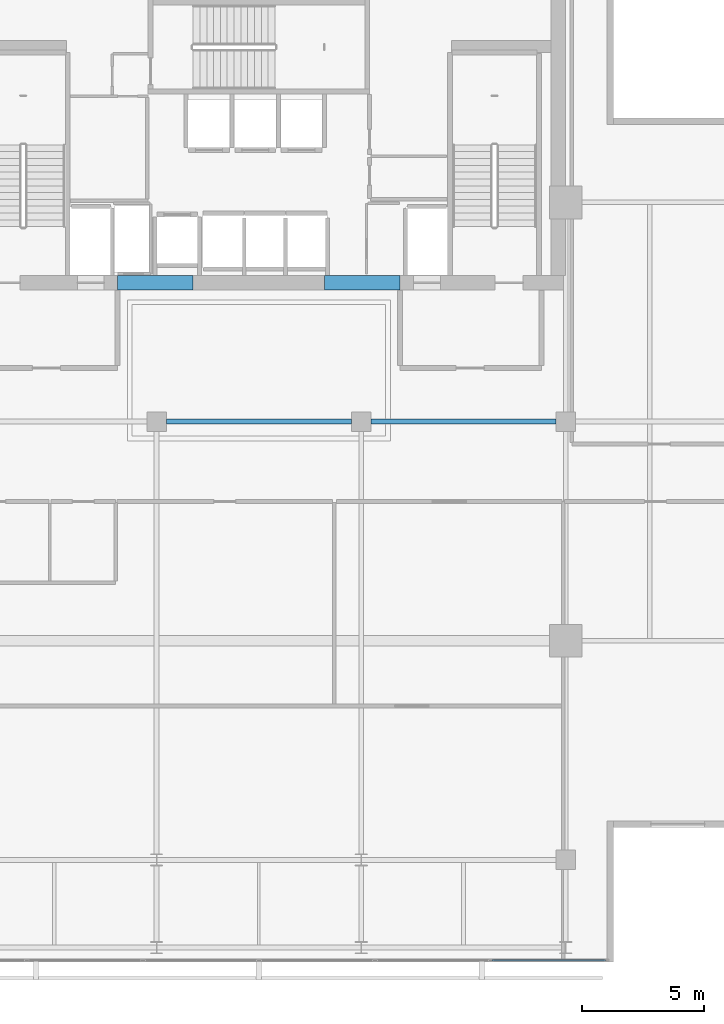
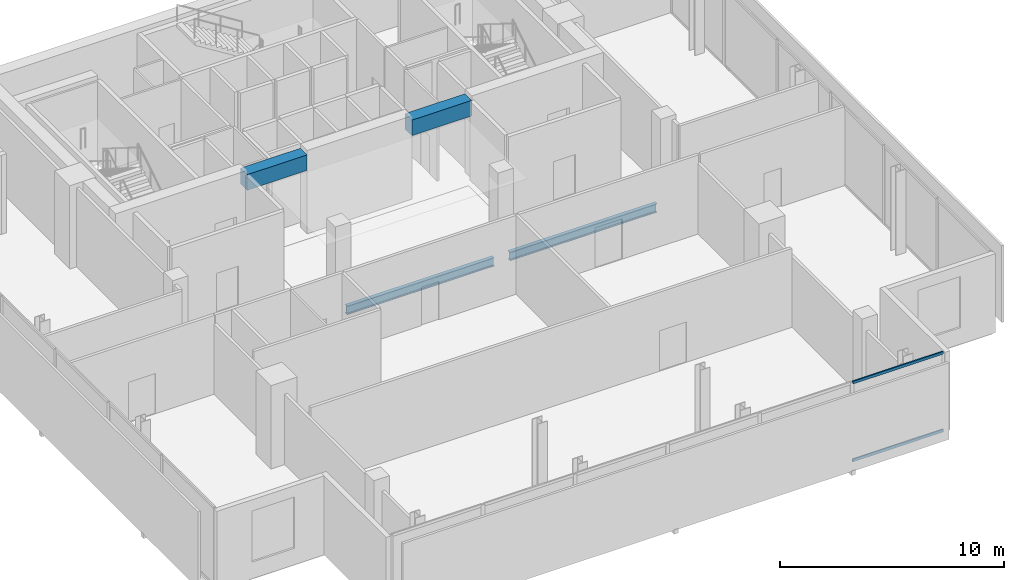
# One storey, part 10 of 23: 4 beams, 2 members, 1 element without a shape of its own.
"""IFC4 building model written with IfcOpenShell, lengths in metres."""

from ifc_helpers import new_model, si_unit, direction, frame, origin, origin_2d, place, context, subcontext, project, spatial, rectangle, hollow_rectangle, i_section, extrude, material, layer, layer_set, material_profile, profile_set, type_object, element, aggregate, save


model = new_model("IFC4")

# Units and contexts
model_context = context("Model", 3, precision=1e-05, world=origin(), true_north=direction((0.0, 1.0)))
body_context = subcontext(model_context, "Body", "Model", "MODEL_VIEW")
ifc_project = project(units=[si_unit("LENGTHUNIT", "METRE"), si_unit("AREAUNIT", "SQUARE_METRE"), si_unit("VOLUMEUNIT", "CUBIC_METRE"), si_unit("PLANEANGLEUNIT", "RADIAN"), si_unit("MASSUNIT", "GRAM", prefix="KILO")], contexts=[model_context])

# Site, building, storey
site_placement = place(None, origin())
site = spatial("IfcSite", under=ifc_project, at=site_placement, CompositionType="ELEMENT")
building_placement = place(site_placement, origin())
building = spatial("IfcBuilding", under=site, at=building_placement, Name="Maruvema Waterfront Hotel and Observation Tower", CompositionType="ELEMENT")
storey_placement = place(building_placement, frame((0.0, 0.0, 345.10009765625)))
storey = spatial("IfcBuildingStorey", under=building, at=storey_placement, Name="L85", CompositionType="ELEMENT", Elevation=345.10009765625)

# Beams
ifc_material_1 = material(Name="Concrete C60/75", Category="concrete")
ifc_material_profile_1 = material_profile(ifc_material_1, rectangle(XDim=0.60009765625, YDim=0.85009765625, at=origin_2d()), Name="CB600x850")
ifc_profile_set_1 = profile_set([ifc_material_profile_1], Name="Concrete C60/75")
beam_type_1 = type_object("IfcBeamType", Name="Core Coupling Lintel Beam CB600x850", PredefinedType="LINTEL", material=ifc_profile_set_1)
for number, where, z_axis, x_axis, name in (
    (1, (32.0, 41.699951171875, 3.885009765625), (1.0, 0.0, 0.0), (0.0, 1.0, 0.0), "L85 Core Coupling Lintel Beam West"),
    (2, (40.5, 41.699951171875, 3.885009765625), (1.0, 0.0, 0.0), (0.0, 1.0, 0.0), "L85 Core Coupling Lintel Beam East"),
):
    element("IfcBeam", number, at=place(storey_placement, frame(where, z_axis=z_axis, x_axis=x_axis)), inside=storey, type_object=beam_type_1, Name=name, PredefinedType="LINTEL", context=body_context, shape_type="SweptSolid", body=[
        extrude(rectangle(XDim=0.60009765625, YDim=0.85009765625, at=origin_2d()), origin(), (0.0, 0.0, 1.0), 3.10009765625),
    ])

# Curtain wall, members
ifc_material_2 = material(Name="Anodised bronze aluminium and solar-control low-E IGU", Category="aluminium")
ifc_layer = layer(ifc_material_2, 0.159912109375, Name="Observation Crown Structural Glazed Curtain Wall System CW-06")
ifc_layer_set = layer_set([ifc_layer], Name="Anodised bronze aluminium and solar-control low-E IGU")
curtain_wall_type = type_object("IfcCurtainWallType", Name="Observation Crown Structural Glazed Curtain Wall System CW-06", PredefinedType="USERDEFINED", material=ifc_layer_set)
curtain_wall_placement = place(storey_placement, origin())
curtain_wall = element("IfcCurtainWall", 3, at=curtain_wall_placement, inside=storey, type_object=curtain_wall_type, Name="L85 Curtain Wall CW-L85-S", ObjectType="UNITISED CURTAIN WALL", PredefinedType="USERDEFINED")
ifc_material_3 = material(Name="Anodised architectural bronze aluminium", Category="aluminium")
ifc_material_profile_2 = material_profile(ifc_material_3, hollow_rectangle(XDim=0.070068359375, YDim=0.14990234375, WallThickness=0.00390625, at=origin_2d()), Name="ALU-T70x150")
ifc_profile_set_2 = profile_set([ifc_material_profile_2], Name="Anodised architectural bronze aluminium")
member_type = type_object("IfcMemberType", Name="Curtain Wall Horizontal Transom ALU-T70x150", PredefinedType="USERDEFINED", material=ifc_profile_set_2)
member_1_placement = place(storey_placement, frame((47.36328125, 13.8798828125, 0.02978515625), z_axis=(1.0, 0.0, 0.0), x_axis=(0.0, 1.0, 0.0)))
member_1 = element("IfcMember", 4, at=member_1_placement, type_object=member_type, Name="CW-06 transom 6.1", ObjectType="TRANSOM", PredefinedType="USERDEFINED", context=body_context, shape_type="SweptSolid", body=[
    extrude(hollow_rectangle(XDim=0.070068359375, YDim=0.14990234375, WallThickness=0.00390625, at=origin_2d()), origin(), (0.0, 0.0, 1.0), 4.6767578125),
])
member_2_placement = place(storey_placement, frame((47.36328125, 13.8798828125, 4.27978515625), z_axis=(1.0, 0.0, 0.0), x_axis=(0.0, 1.0, 0.0)))
member_2 = element("IfcMember", 5, at=member_2_placement, type_object=member_type, Name="CW-06 transom 6.2", ObjectType="TRANSOM", PredefinedType="USERDEFINED", context=body_context, shape_type="SweptSolid", body=[
    extrude(hollow_rectangle(XDim=0.070068359375, YDim=0.14990234375, WallThickness=0.00390625, at=origin_2d()), origin(), (0.0, 0.0, 1.0), 4.6767578125),
])
aggregate(curtain_wall, [member_1, member_2])

# Beams
ifc_material_4 = material(Name="Steel ASTM A572 Grade 50", Category="steel")
ifc_material_profile_3 = material_profile(ifc_material_4, i_section(OverallWidth=0.194091796875, OverallDepth=0.468994140625, WebThickness=0.0126953125, FlangeThickness=0.0205078125, FilletRadius=0.014892578125, at=origin_2d()), Name="W460x106.0")
ifc_profile_set_3 = profile_set([ifc_material_profile_3], Name="Steel ASTM A572 Grade 50")
beam_type_2 = type_object("IfcBeamType", Name="Primary Floor Girder W460x106.0", PredefinedType="BEAM", material=ifc_profile_set_3)
for number, where, z_axis, x_axis, name in (
    (6, (34.0, 36.0, -0.474609375), (1.0, 0.0, 0.0), (0.0, 1.0, 0.0), "L85 Floor Girder EW-12"),
    (7, (42.39990234375, 36.0, -0.474609375), (1.0, 0.0, 0.0), (0.0, 1.0, 0.0), "L85 Floor Girder EW-13"),
):
    element("IfcBeam", number, at=place(storey_placement, frame(where, z_axis=z_axis, x_axis=x_axis)), inside=storey, type_object=beam_type_2, Name=name, PredefinedType="BEAM", context=body_context, shape_type="SweptSolid", body=[
        extrude(i_section(OverallWidth=0.194091796875, OverallDepth=0.468994140625, WebThickness=0.0126953125, FlangeThickness=0.0205078125, FilletRadius=0.014892578125, at=origin_2d()), origin(), (0.0, 0.0, 1.0), 7.60009765625),
    ])

save(model, "model.ifc")
